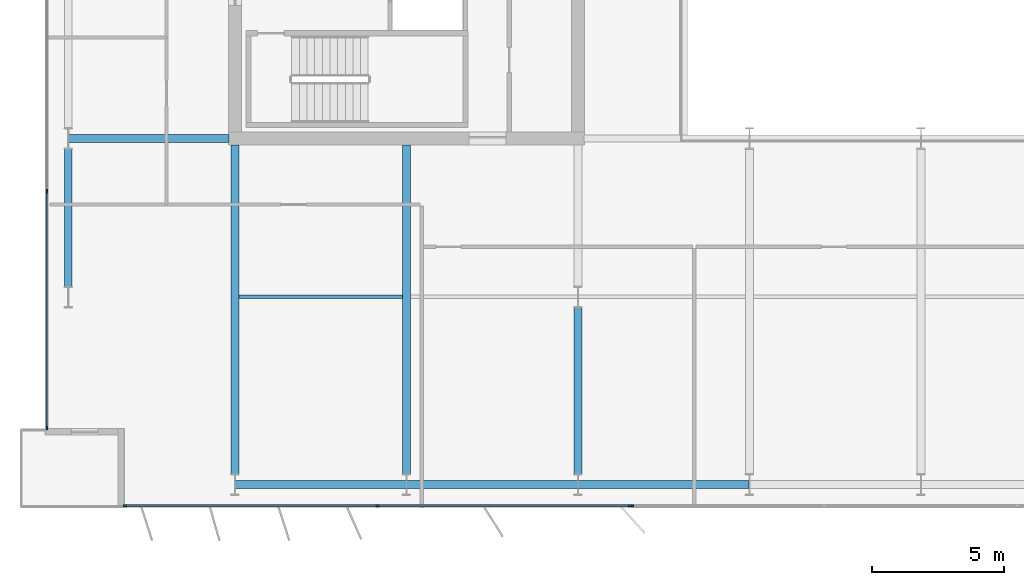
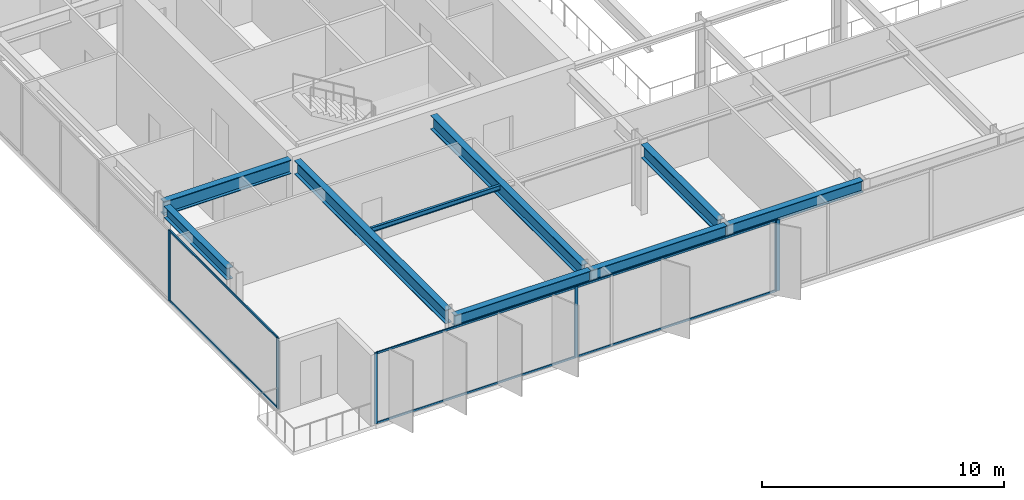
# One storey, part 3 of 23: 12 members, 9 beams, 3 elements without a shape of their own.
"""IFC4 building model written with IfcOpenShell, lengths in metres."""

from ifc_helpers import new_model, si_unit, direction, frame, origin, origin_2d, place, context, subcontext, project, spatial, rectangle, i_section, extrude, material, layer, layer_set, material_profile, profile_set, type_object, element, aggregate, save


model = new_model("IFC4")

# Units and contexts
model_context = context("Model", 3, precision=1e-05, world=origin(), true_north=direction((0.0, 1.0)))
body_context = subcontext(model_context, "Body", "Model", "MODEL_VIEW")
ifc_project = project(units=[si_unit("LENGTHUNIT", "METRE"), si_unit("AREAUNIT", "SQUARE_METRE"), si_unit("VOLUMEUNIT", "CUBIC_METRE"), si_unit("PLANEANGLEUNIT", "RADIAN"), si_unit("MASSUNIT", "GRAM", prefix="KILO")], contexts=[model_context])

# Site, building, storey
site_placement = place(None, origin())
site = spatial("IfcSite", under=ifc_project, at=site_placement, CompositionType="ELEMENT")
building_placement = place(site_placement, origin())
building = spatial("IfcBuilding", under=site, at=building_placement, Name="Putna Gate Headquarters", CompositionType="ELEMENT")
storey_placement = place(building_placement, frame((0.0, 0.0, 229.0)))
storey = spatial("IfcBuildingStorey", under=building, at=storey_placement, Name="L57", CompositionType="ELEMENT", Elevation=229.0)

# Beams
ifc_material_1 = material(Name="Steel S355J2", Category="steel")
ifc_material_profile_1 = material_profile(ifc_material_1, i_section(OverallWidth=0.300048828125, OverallDepth=0.699951171875, WebThickness=0.01708984375, FlangeThickness=0.031982421875, at=origin_2d()), Name="Steel S355J2")
ifc_profile_set_1 = profile_set([ifc_material_profile_1], Name="Steel S355J2")
beam_type_1 = type_object("IfcBeamType", Name="BM-GIRD-B-HEB700", PredefinedType="USERDEFINED", material=ifc_profile_set_1)
beam_1_placement = place(storey_placement, frame((6.68603515625, 19.0, 3.22998046875), z_axis=(1.0, 0.0, 0.0), x_axis=(0.0, 1.0, 0.0)))
element("IfcBeam", 1, at=beam_1_placement, inside=storey, type_object=beam_type_1, Name="L57 West Wing Girder Y19", ObjectType="GIRDER", PredefinedType="USERDEFINED", context=body_context, shape_type="SweptSolid", body=[
    extrude(i_section(OverallWidth=0.300048828125, OverallDepth=0.699951171875, WebThickness=0.01708984375, FlangeThickness=0.031982421875, at=origin_2d()), origin(), (0.0, 0.0, 1.0), 6.078857421875),
])
for number, where, z_axis, x_axis, name in (
    (2, (13.0, 6.27490234375, 3.22998046875), (0.0, 1.0, 0.0), (-1.0, 0.0, 0.0), "L57 South Primary Girder X13"),
    (3, (19.5, 6.27490234375, 3.22998046875), (0.0, 1.0, 0.0), (-1.0, 0.0, 0.0), "L57 South Primary Girder X19"),
):
    element("IfcBeam", number, at=place(storey_placement, frame(where, z_axis=z_axis, x_axis=x_axis)), inside=storey, type_object=beam_type_1, Name=name, ObjectType="GIRDER", PredefinedType="USERDEFINED", context=body_context, shape_type="SweptSolid", body=[
        extrude(i_section(OverallWidth=0.300048828125, OverallDepth=0.699951171875, WebThickness=0.01708984375, FlangeThickness=0.031982421875, at=origin_2d()), origin(), (0.0, 0.0, 1.0), 12.489990234375),
    ])
beam_2_placement = place(storey_placement, frame((26.0, 6.27490234375, 3.22998046875), z_axis=(0.0, 1.0, 0.0), x_axis=(-1.0, 0.0, 0.0)))
element("IfcBeam", 4, at=beam_2_placement, inside=storey, type_object=beam_type_1, Name="L57 South Primary Girder X26-1", ObjectType="GIRDER", PredefinedType="USERDEFINED", context=body_context, shape_type="SweptSolid", body=[
    extrude(i_section(OverallWidth=0.300048828125, OverallDepth=0.699951171875, WebThickness=0.01708984375, FlangeThickness=0.031982421875, at=origin_2d()), origin(), (0.0, 0.0, 1.0), 6.330078125),
])
ifc_material_profile_2 = material_profile(ifc_material_1, i_section(OverallWidth=0.1201171875, OverallDepth=0.239990234375, WebThickness=0.006103515625, FlangeThickness=0.009765625, at=origin_2d()), Name="Steel S355J2")
ifc_profile_set_2 = profile_set([ifc_material_profile_2], Name="Steel S355J2")
beam_type_2 = type_object("IfcBeamType", Name="BM-SEC-Z4-IPE240", PredefinedType="JOIST", material=ifc_profile_set_2)
beam_3_placement = place(storey_placement, frame((13.154052734375, 13.0, 3.4599609375), z_axis=(1.0, 0.0, 0.0), x_axis=(0.0, 1.0, 0.0)))
element("IfcBeam", 5, at=beam_3_placement, inside=storey, type_object=beam_type_2, Name="L57 South Secondary Beam 1", PredefinedType="JOIST", context=body_context, shape_type="SweptSolid", body=[
    extrude(i_section(OverallWidth=0.1201171875, OverallDepth=0.239990234375, WebThickness=0.006103515625, FlangeThickness=0.009765625, at=origin_2d()), origin(), (0.0, 0.0, 1.0), 6.19189453125),
])
ifc_material_profile_3 = material_profile(ifc_material_1, i_section(OverallWidth=0.300048828125, OverallDepth=0.590087890625, WebThickness=0.012939453125, FlangeThickness=0.02490234375, at=origin_2d()), Name="Steel S355J2")
ifc_profile_set_3 = profile_set([ifc_material_profile_3], Name="Steel S355J2")
beam_type_3 = type_object("IfcBeamType", Name="BM-SPAN-Z4-HEA600", PredefinedType="SPANDREL", material=ifc_profile_set_3)
for number, where, z_axis, x_axis, name in (
    (6, (13.006103515625, 5.8798828125, 3.284912109375), (1.0, 0.0, 0.0), (0.0, 1.0, 0.0), "L57 S Perimeter Spandrel 1"),
    (7, (19.506103515625, 5.8798828125, 3.284912109375), (1.0, 0.0, 0.0), (0.0, 1.0, 0.0), "L57 S Perimeter Spandrel 2"),
    (8, (26.006103515625, 5.8798828125, 3.284912109375), (1.0, 0.0, 0.0), (0.0, 1.0, 0.0), "L57 S Perimeter Spandrel 3"),
):
    element("IfcBeam", number, at=place(storey_placement, frame(where, z_axis=z_axis, x_axis=x_axis)), inside=storey, type_object=beam_type_3, Name=name, PredefinedType="SPANDREL", context=body_context, shape_type="SweptSolid", body=[
        extrude(i_section(OverallWidth=0.300048828125, OverallDepth=0.590087890625, WebThickness=0.012939453125, FlangeThickness=0.02490234375, at=origin_2d()), origin(), (0.0, 0.0, 1.0), 6.48779296875),
    ])
beam_4_placement = place(storey_placement, frame((6.679931640625, 13.39501953125, 3.284912109375), z_axis=(0.0, 1.0, 0.0), x_axis=(-1.0, 0.0, 0.0)))
element("IfcBeam", 9, at=beam_4_placement, inside=storey, type_object=beam_type_3, Name="L57 W End Spandrel 1", PredefinedType="SPANDREL", context=body_context, shape_type="SweptSolid", body=[
    extrude(i_section(OverallWidth=0.300048828125, OverallDepth=0.590087890625, WebThickness=0.012939453125, FlangeThickness=0.02490234375, at=origin_2d()), origin(), (0.0, 0.0, 1.0), 5.2099609375),
])

# Curtain wall, members
ifc_material_2 = material(Name="Anodised bronze aluminium curtain wall", Category="aluminium")
ifc_layer_1 = layer(ifc_material_2, 0.139892578125)
ifc_layer_set_1 = layer_set([ifc_layer_1], Name="Anodised bronze aluminium curtain wall")
curtain_wall_type_1 = type_object("IfcCurtainWallType", Name="CW-SYS-Z4", PredefinedType="USERDEFINED", material=ifc_layer_set_1)
curtain_wall_1_placement = place(storey_placement, origin())
curtain_wall_1 = element("IfcCurtainWall", 10, at=curtain_wall_1_placement, inside=storey, type_object=curtain_wall_type_1, Name="L57 South West Curtain Wall", ObjectType="STICK CURTAIN WALL", PredefinedType="USERDEFINED")
ifc_material_3 = material(Name="Anodised bronze aluminium EN AW-6060", Category="aluminium")
ifc_material_profile_4 = material_profile(ifc_material_3, rectangle(XDim=0.06005859375, YDim=0.139892578125, at=origin_2d()), Name="Anodised bronze aluminium EN AW-6060")
ifc_profile_set_4 = profile_set([ifc_material_profile_4], Name="Anodised bronze aluminium EN AW-6060")
member_type_1 = type_object("IfcMemberType", Name="MULL-CWM-4", PredefinedType="MULLION", material=ifc_profile_set_4)
member_1_placement = place(storey_placement, frame((8.830078125, 5.080078125, 0.0), z_axis=(0.0, 0.0, 1.0), x_axis=(0.0, 1.0, 0.0)))
member_1 = element("IfcMember", 11, at=member_1_placement, type_object=member_type_1, Name="CWS-4 mullion 1", PredefinedType="MULLION", context=body_context, shape_type="SweptSolid", body=[
    extrude(rectangle(XDim=0.06005859375, YDim=0.139892578125, at=origin_2d()), origin(), (0.0, 0.0, 1.0), 3.580078125),
])
member_2_placement = place(storey_placement, frame((18.39990234375, 5.080078125, 0.0), z_axis=(0.0, 0.0, 1.0), x_axis=(0.0, 1.0, 0.0)))
member_2 = element("IfcMember", 12, at=member_2_placement, type_object=member_type_1, Name="CWS-4 mullion 2", PredefinedType="MULLION", context=body_context, shape_type="SweptSolid", body=[
    extrude(rectangle(XDim=0.06005859375, YDim=0.139892578125, at=origin_2d()), origin(), (0.0, 0.0, 1.0), 3.580078125),
])
member_3_placement = place(storey_placement, frame((27.969970703125, 5.080078125, 0.0), z_axis=(0.0, 0.0, 1.0), x_axis=(0.0, 1.0, 0.0)))
member_3 = element("IfcMember", 13, at=member_3_placement, type_object=member_type_1, Name="CWS-4 mullion 3", PredefinedType="MULLION", context=body_context, shape_type="SweptSolid", body=[
    extrude(rectangle(XDim=0.06005859375, YDim=0.139892578125, at=origin_2d()), origin(), (0.0, 0.0, 1.0), 3.580078125),
])

curtain_wall_2_placement = place(storey_placement, origin())
curtain_wall_2 = element("IfcCurtainWall", 14, at=curtain_wall_2_placement, inside=storey, type_object=curtain_wall_type_1, Name="L57 West Curtain Wall", ObjectType="STICK CURTAIN WALL", PredefinedType="USERDEFINED")
member_4_placement = place(storey_placement, frame((5.8798828125, 8.030029296875, 0.0), z_axis=(0.0, 0.0, 1.0), x_axis=(-1.0, 0.0, 0.0)))
member_4 = element("IfcMember", 15, at=member_4_placement, type_object=member_type_1, Name="CWS-4 mullion 1", PredefinedType="MULLION", context=body_context, shape_type="SweptSolid", body=[
    extrude(rectangle(XDim=0.06005859375, YDim=0.139892578125, at=origin_2d()), origin(), (0.0, 0.0, 1.0), 3.580078125),
])
member_5_placement = place(storey_placement, frame((5.8798828125, 17.0, 0.0), z_axis=(0.0, 0.0, 1.0), x_axis=(-1.0, 0.0, 0.0)))
member_5 = element("IfcMember", 16, at=member_5_placement, type_object=member_type_1, Name="CWS-4 mullion 2", PredefinedType="MULLION", context=body_context, shape_type="SweptSolid", body=[
    extrude(rectangle(XDim=0.06005859375, YDim=0.139892578125, at=origin_2d()), origin(), (0.0, 0.0, 1.0), 3.580078125),
])

# Curtain wall, member
ifc_layer_2 = layer(ifc_material_2, 0.179931640625)
ifc_layer_set_2 = layer_set([ifc_layer_2], Name="Anodised bronze aluminium curtain wall")
curtain_wall_type_2 = type_object("IfcCurtainWallType", Name="CW-SYS-ATR", PredefinedType="USERDEFINED", material=ifc_layer_set_2)
curtain_wall_3_placement = place(storey_placement, origin())
curtain_wall_3 = element("IfcCurtainWall", 17, at=curtain_wall_3_placement, inside=storey, type_object=curtain_wall_type_2, Name="L57 South Atrium Clear Glazing", ObjectType="ATRIUM GLAZING", PredefinedType="USERDEFINED")
ifc_material_profile_5 = material_profile(ifc_material_3, rectangle(XDim=0.070068359375, YDim=0.179931640625, at=origin_2d()), Name="Anodised bronze aluminium EN AW-6060")
ifc_profile_set_5 = profile_set([ifc_material_profile_5], Name="Anodised bronze aluminium EN AW-6060")
member_type_2 = type_object("IfcMemberType", Name="MULL-CWM-AT", PredefinedType="MULLION", material=ifc_profile_set_5)
member_6_placement = place(storey_placement, frame((28.034912109375, 5.080078125, 0.0), z_axis=(0.0, 0.0, 1.0), x_axis=(0.0, 1.0, 0.0)))
member_6 = element("IfcMember", 18, at=member_6_placement, type_object=member_type_2, Name="CWS-AT mullion 1", PredefinedType="MULLION", context=body_context, shape_type="SweptSolid", body=[
    extrude(rectangle(XDim=0.070068359375, YDim=0.179931640625, at=origin_2d()), origin(), (0.0, 0.0, 1.0), 3.580078125),
])
aggregate(curtain_wall_3, [member_6])

# Member
ifc_material_profile_6 = material_profile(ifc_material_3, rectangle(XDim=0.06005859375, YDim=0.10009765625, at=origin_2d()), Name="Anodised bronze aluminium EN AW-6060")
ifc_profile_set_6 = profile_set([ifc_material_profile_6], Name="Anodised bronze aluminium EN AW-6060")
member_type_3 = type_object("IfcMemberType", Name="TRAN-CWT-4", PredefinedType="USERDEFINED", material=ifc_profile_set_6)
member_7_placement = place(storey_placement, frame((8.860107421875, 5.080078125, 0.030029296875), z_axis=(1.0, 0.0, 0.0), x_axis=(0.0, 1.0, 0.0)))
member_7 = element("IfcMember", 19, at=member_7_placement, type_object=member_type_3, Name="CWS-4 transom 1.1", ObjectType="TRANSOM", PredefinedType="USERDEFINED", context=body_context, shape_type="SweptSolid", body=[
    extrude(rectangle(XDim=0.06005859375, YDim=0.10009765625, at=origin_2d()), origin(), (0.0, 0.0, 1.0), 9.510009765625),
])

member_8_placement = place(storey_placement, frame((8.860107421875, 5.080078125, 3.550048828125), z_axis=(1.0, 0.0, 0.0), x_axis=(0.0, 1.0, 0.0)))
member_8 = element("IfcMember", 20, at=member_8_placement, type_object=member_type_3, Name="CWS-4 transom 1.2", ObjectType="TRANSOM", PredefinedType="USERDEFINED", context=body_context, shape_type="SweptSolid", body=[
    extrude(rectangle(XDim=0.06005859375, YDim=0.10009765625, at=origin_2d()), origin(), (0.0, 0.0, 1.0), 9.510009765625),
])

member_9_placement = place(storey_placement, frame((18.429931640625, 5.080078125, 0.030029296875), z_axis=(1.0, 0.0, 0.0), x_axis=(0.0, 1.0, 0.0)))
member_9 = element("IfcMember", 21, at=member_9_placement, type_object=member_type_3, Name="CWS-4 transom 2.1", ObjectType="TRANSOM", PredefinedType="USERDEFINED", context=body_context, shape_type="SweptSolid", body=[
    extrude(rectangle(XDim=0.06005859375, YDim=0.10009765625, at=origin_2d()), origin(), (0.0, 0.0, 1.0), 9.510009765625),
])

member_10_placement = place(storey_placement, frame((18.429931640625, 5.080078125, 3.550048828125), z_axis=(1.0, 0.0, 0.0), x_axis=(0.0, 1.0, 0.0)))
member_10 = element("IfcMember", 22, at=member_10_placement, type_object=member_type_3, Name="CWS-4 transom 2.2", ObjectType="TRANSOM", PredefinedType="USERDEFINED", context=body_context, shape_type="SweptSolid", body=[
    extrude(rectangle(XDim=0.06005859375, YDim=0.10009765625, at=origin_2d()), origin(), (0.0, 0.0, 1.0), 9.510009765625),
])

aggregate(curtain_wall_1, [member_1, member_2, member_3, member_7, member_8, member_9, member_10])

member_11_placement = place(storey_placement, frame((5.8798828125, 8.06005859375, 0.030029296875), z_axis=(0.0, 1.0, 0.0), x_axis=(-1.0, 0.0, 0.0)))
member_11 = element("IfcMember", 23, at=member_11_placement, type_object=member_type_3, Name="CWS-4 transom 1.1", ObjectType="TRANSOM", PredefinedType="USERDEFINED", context=body_context, shape_type="SweptSolid", body=[
    extrude(rectangle(XDim=0.06005859375, YDim=0.10009765625, at=origin_2d()), origin(), (0.0, 0.0, 1.0), 8.909912109375),
])

member_12_placement = place(storey_placement, frame((5.8798828125, 8.06005859375, 3.550048828125), z_axis=(0.0, 1.0, 0.0), x_axis=(-1.0, 0.0, 0.0)))
member_12 = element("IfcMember", 24, at=member_12_placement, type_object=member_type_3, Name="CWS-4 transom 1.2", ObjectType="TRANSOM", PredefinedType="USERDEFINED", context=body_context, shape_type="SweptSolid", body=[
    extrude(rectangle(XDim=0.06005859375, YDim=0.10009765625, at=origin_2d()), origin(), (0.0, 0.0, 1.0), 8.909912109375),
])

aggregate(curtain_wall_2, [member_4, member_5, member_11, member_12])

save(model, "model.ifc")
